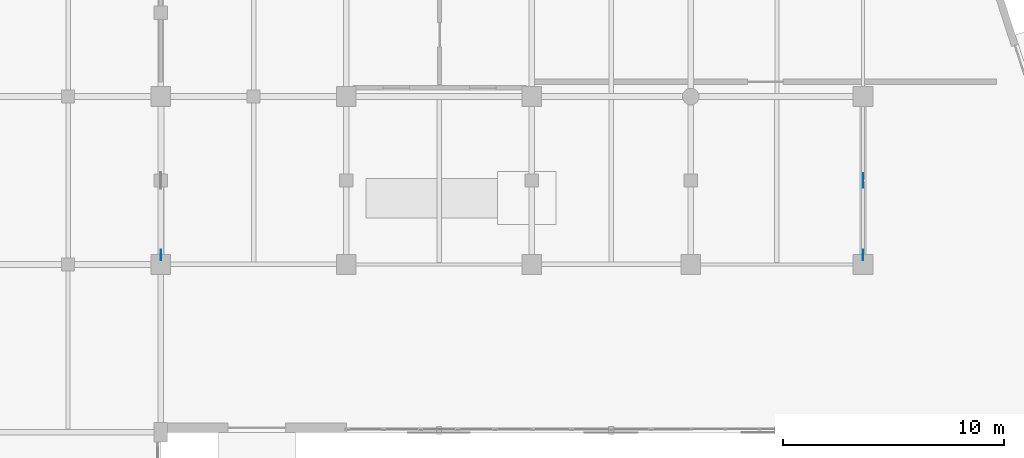
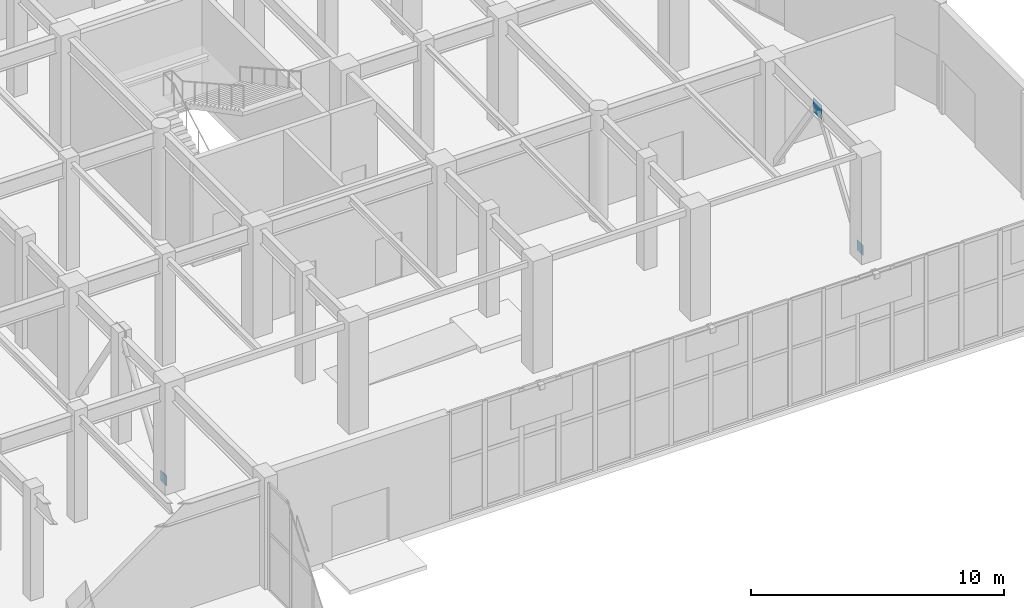
# One storey, part 116 of 139: 3 plates.
"""IFC4 building model written with IfcOpenShell, lengths in metres."""

from ifc_helpers import new_model, si_unit, direction, frame, origin, origin_2d, place, context, subcontext, project, spatial, rectangle, extrude, material, layer, layer_set, type_object, element, save


model = new_model("IFC4")

# Units and contexts
model_context = context("Model", 3, precision=1e-05, world=origin(), true_north=direction((0.0, 1.0)))
body_context = subcontext(model_context, "Body", "Model", "MODEL_VIEW")
ifc_project = project(units=[si_unit("LENGTHUNIT", "METRE"), si_unit("AREAUNIT", "SQUARE_METRE"), si_unit("VOLUMEUNIT", "CUBIC_METRE"), si_unit("PLANEANGLEUNIT", "RADIAN"), si_unit("MASSUNIT", "GRAM", prefix="KILO")], contexts=[model_context])

# Site, building, storey
site_placement = place(None, origin())
site = spatial("IfcSite", under=ifc_project, at=site_placement, CompositionType="ELEMENT")
building_placement = place(site_placement, origin())
building = spatial("IfcBuilding", under=site, at=building_placement, Name="Xicomal Pleat Aquarium", CompositionType="ELEMENT")
storey_placement = place(building_placement, origin())
storey = spatial("IfcBuildingStorey", under=building, at=storey_placement, Name="L01", CompositionType="ELEMENT", Elevation=0.0)

# Plates
ifc_material_1 = material(Name="Structural steel A992 Gr 50", Category="steel")
ifc_layer_1 = layer(ifc_material_1, 0.02001953125)
ifc_layer_set_1 = layer_set([ifc_layer_1], Name="Structural steel A992 Gr 50")
plate_type_1 = type_object("IfcPlateType", Name="PLT-CAP-20", PredefinedType="SHEET", material=ifc_layer_set_1)
for number, where, z_axis, x_axis, name in (
    (1, (94.199951171875, 38.429931640625, -0.090087890625), (0.0, 0.0, 1.0), (0.0, 1.0, 0.0), "L01 HSS end cap plate 16"),
    (2, (126.0, 38.429931640625, -0.090087890625), (0.0, 0.0, 1.0), (0.0, 1.0, 0.0), "L01 HSS end cap plate 20"),
):
    element("IfcPlate", number, at=place(storey_placement, frame(where, z_axis=z_axis, x_axis=x_axis)), inside=storey, type_object=plate_type_1, Name=name, PredefinedType="SHEET", context=body_context, shape_type="SweptSolid", body=[
        extrude(rectangle(XDim=0.47998046875, YDim=0.02001953125, at=origin_2d()), origin(), (0.0, 0.0, 1.0), 0.47998046875),
    ])
ifc_material_2 = material(Name="Structural steel A992 Gr 50", Category="steel")
ifc_layer_2 = layer(ifc_material_2, 0.034912109375)
ifc_layer_set_2 = layer_set([ifc_layer_2], Name="Structural steel A992 Gr 50")
plate_type_2 = type_object("IfcPlateType", Name="PLT-GUS-35", PredefinedType="USERDEFINED", material=ifc_layer_set_2)
plate_placement = place(storey_placement, frame((126.0, 41.800048828125, 4.485107421875), z_axis=(0.0, 0.0, 1.0), x_axis=(0.0, 1.0, 0.0)))
element("IfcPlate", 3, at=plate_placement, inside=storey, type_object=plate_type_2, Name="L01 chevron gusset node plate 20", ObjectType="GUSSET PLATE", PredefinedType="USERDEFINED", context=body_context, shape_type="SweptSolid", body=[
    extrude(rectangle(XDim=0.64990234375, YDim=0.034912109375, at=origin_2d()), origin(), (0.0, 0.0, 1.0), 0.64990234375),
])

save(model, "model.ifc")
